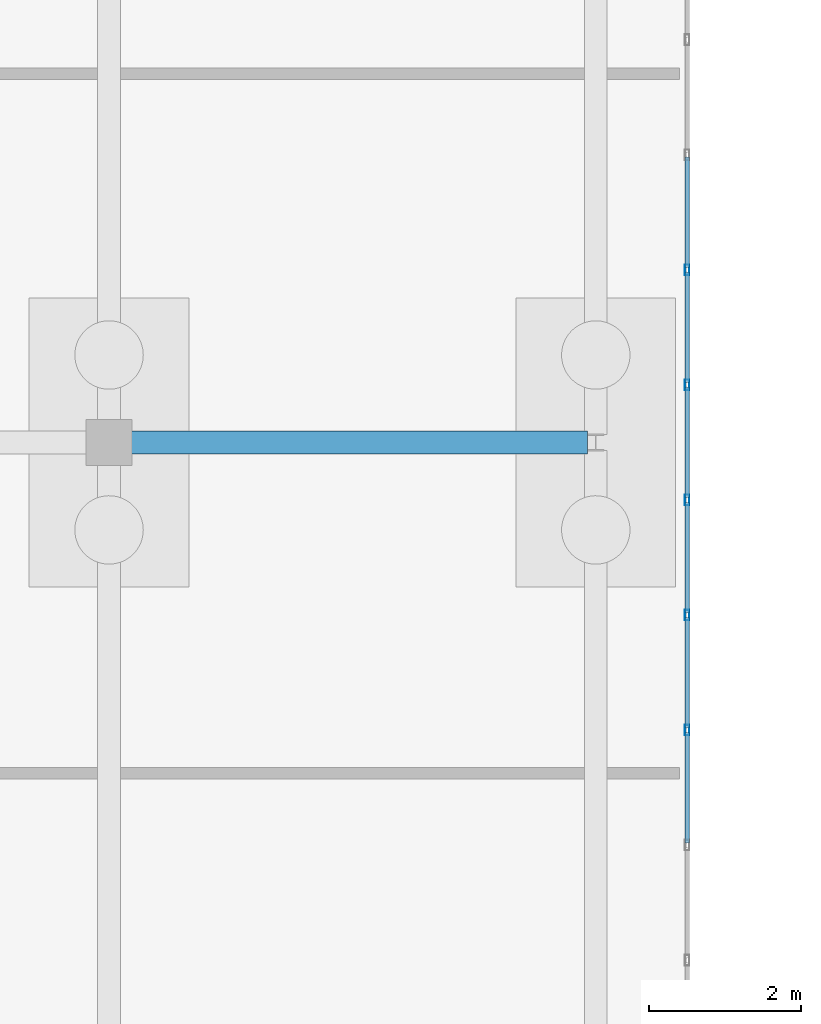
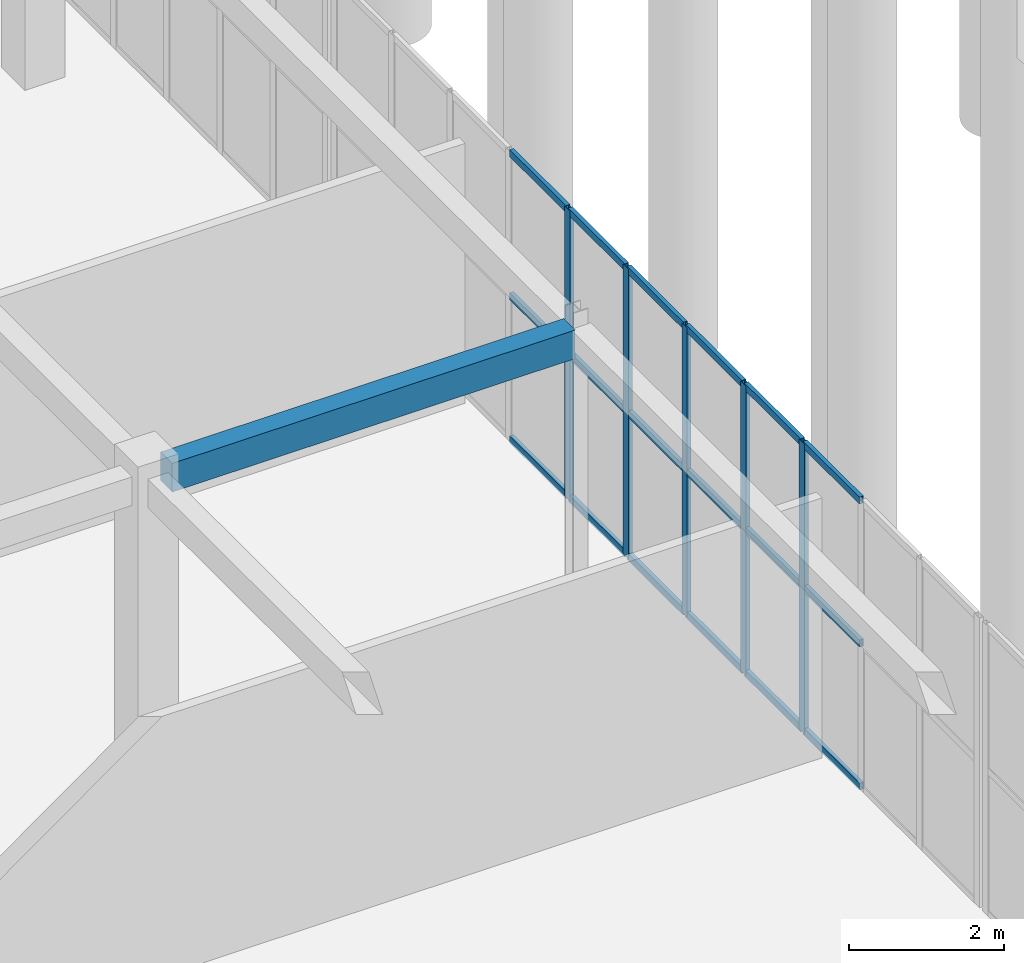
# One storey, part 80 of 192: 23 members, 1 beam, 1 element without a shape of its own.
"""IFC4 building model written with IfcOpenShell, lengths in metres."""

from ifc_helpers import new_model, si_unit, direction, frame, origin, origin_2d, place, context, subcontext, project, spatial, rectangle, hollow_rectangle, extrude, material, layer, layer_set, material_profile, profile_set, type_object, element, aggregate, save


model = new_model("IFC4")

# Units and contexts
model_context = context("Model", 3, precision=1e-05, world=origin(), true_north=direction((0.0, 1.0)))
body_context = subcontext(model_context, "Body", "Model", "MODEL_VIEW")
ifc_project = project(units=[si_unit("LENGTHUNIT", "METRE"), si_unit("AREAUNIT", "SQUARE_METRE"), si_unit("VOLUMEUNIT", "CUBIC_METRE"), si_unit("PLANEANGLEUNIT", "RADIAN"), si_unit("MASSUNIT", "GRAM", prefix="KILO")], contexts=[model_context])

# Site, building, storey
site_placement = place(None, origin())
site = spatial("IfcSite", under=ifc_project, at=site_placement, CompositionType="ELEMENT")
building_placement = place(site_placement, origin())
building = spatial("IfcBuilding", under=site, at=building_placement, Name="Trelvath General Hospital", CompositionType="ELEMENT")
storey_placement = place(building_placement, origin())
storey = spatial("IfcBuildingStorey", under=building, at=storey_placement, Name="L00", CompositionType="ELEMENT", Elevation=0.0)

# Beam
ifc_material_1 = material(Name="Concrete C35/45", Category="concrete")
ifc_material_profile_1 = material_profile(ifc_material_1, rectangle(XDim=0.300048828125, YDim=0.449951171875, at=origin_2d()), Name="RCB300x450")
ifc_profile_set_1 = profile_set([ifc_material_profile_1], Name="Concrete C35/45")
beam_type = type_object("IfcBeamType", Name="Beam RC300x450", PredefinedType="BEAM", material=ifc_profile_set_1)
beam_placement = place(storey_placement, frame((113.89599609375, 58.800048828125, 4.3349609375), z_axis=(1.0, 0.0, 0.0), x_axis=(0.0, 1.0, 0.0)))
element("IfcBeam", 1, at=beam_placement, inside=storey, type_object=beam_type, Name="Cube Interior Ring Beam CUBE-E-T0 L00", PredefinedType="BEAM", context=body_context, shape_type="SweptSolid", body=[
    extrude(rectangle(XDim=0.300048828125, YDim=0.449951171875, at=origin_2d()), origin(), (0.0, 0.0, 1.0), 5.998046875),
])

# Curtain wall, members
ifc_material_2 = material(Name="Anodised aluminium and low-E glass", Category="aluminium")
ifc_layer = layer(ifc_material_2, 0.139892578125)
ifc_layer_set = layer_set([ifc_layer], Name="Anodised aluminium and low-E glass")
curtain_wall_type = type_object("IfcCurtainWallType", Name="CW CrystalCube 1664 456 14", PredefinedType="USERDEFINED", material=ifc_layer_set)
curtain_wall_placement = place(storey_placement, origin())
curtain_wall = element("IfcCurtainWall", 2, at=curtain_wall_placement, inside=storey, type_object=curtain_wall_type, Name="Crystal Cube Curtain Wall CUBE-E-T0 E4 L00", ObjectType="Unitised Glazed Curtain Wall", PredefinedType="USERDEFINED")
ifc_material_3 = material(Name="Anodised aluminium", Category="aluminium")
ifc_material_profile_2 = material_profile(ifc_material_3, hollow_rectangle(XDim=0.06005859375, YDim=0.139892578125, WallThickness=0.00390625, at=origin_2d()), Name="RHS60x140x4")
ifc_profile_set_2 = profile_set([ifc_material_profile_2], Name="Anodised aluminium")
member_type_1 = type_object("IfcMemberType", Name="CurtainMullion 60x140", PredefinedType="MULLION", material=ifc_profile_set_2)
member_1_placement = place(storey_placement, frame((121.199951171875, 61.069091796875, 0.0), z_axis=(0.0, 0.0, 1.0), x_axis=(1.0, 0.0, 0.0)))
member_1 = element("IfcMember", 3, at=member_1_placement, type_object=member_type_1, Name="CW-121 mullion 5", PredefinedType="MULLION", context=body_context, shape_type="SweptSolid", body=[
    extrude(hollow_rectangle(XDim=0.06005859375, YDim=0.139892578125, WallThickness=0.00390625, at=origin_2d()), origin(), (0.0, 0.0, 1.0), 4.56005859375),
])
member_2_placement = place(storey_placement, frame((121.199951171875, 59.556396484375, 0.0), z_axis=(0.0, 0.0, 1.0), x_axis=(1.0, 0.0, 0.0)))
member_2 = element("IfcMember", 4, at=member_2_placement, type_object=member_type_1, Name="CW-121 mullion 6", PredefinedType="MULLION", context=body_context, shape_type="SweptSolid", body=[
    extrude(hollow_rectangle(XDim=0.06005859375, YDim=0.139892578125, WallThickness=0.00390625, at=origin_2d()), origin(), (0.0, 0.0, 1.0), 4.56005859375),
])
member_3_placement = place(storey_placement, frame((121.199951171875, 58.043701171875, 0.0), z_axis=(0.0, 0.0, 1.0), x_axis=(1.0, 0.0, 0.0)))
member_3 = element("IfcMember", 5, at=member_3_placement, type_object=member_type_1, Name="CW-121 mullion 7", PredefinedType="MULLION", context=body_context, shape_type="SweptSolid", body=[
    extrude(hollow_rectangle(XDim=0.06005859375, YDim=0.139892578125, WallThickness=0.00390625, at=origin_2d()), origin(), (0.0, 0.0, 1.0), 4.56005859375),
])
member_4_placement = place(storey_placement, frame((121.199951171875, 56.531005859375, 0.0), z_axis=(0.0, 0.0, 1.0), x_axis=(1.0, 0.0, 0.0)))
member_4 = element("IfcMember", 6, at=member_4_placement, type_object=member_type_1, Name="CW-121 mullion 8", PredefinedType="MULLION", context=body_context, shape_type="SweptSolid", body=[
    extrude(hollow_rectangle(XDim=0.06005859375, YDim=0.139892578125, WallThickness=0.00390625, at=origin_2d()), origin(), (0.0, 0.0, 1.0), 4.56005859375),
])
member_5_placement = place(storey_placement, frame((121.199951171875, 55.01806640625, 0.0), z_axis=(0.0, 0.0, 1.0), x_axis=(1.0, 0.0, 0.0)))
member_5 = element("IfcMember", 7, at=member_5_placement, type_object=member_type_1, Name="CW-121 mullion 9", PredefinedType="MULLION", context=body_context, shape_type="SweptSolid", body=[
    extrude(hollow_rectangle(XDim=0.06005859375, YDim=0.139892578125, WallThickness=0.00390625, at=origin_2d()), origin(), (0.0, 0.0, 1.0), 4.56005859375),
])
ifc_material_4 = material(Name="Anodised aluminium", Category="aluminium")
ifc_material_profile_3 = material_profile(ifc_material_4, hollow_rectangle(XDim=0.06005859375, YDim=0.110107421875, WallThickness=0.00390625, at=origin_2d()), Name="RHS60x110x4")
ifc_profile_set_3 = profile_set([ifc_material_profile_3], Name="Anodised aluminium")
member_type_2 = type_object("IfcMemberType", Name="CurtainTransom 60x110", PredefinedType="USERDEFINED", material=ifc_profile_set_3)
member_6_placement = place(storey_placement, frame((121.199951171875, 62.5517578125, 0.030029296875), z_axis=(0.0, -1.0, 0.0), x_axis=(1.0, 0.0, 0.0)))
member_6 = element("IfcMember", 8, at=member_6_placement, type_object=member_type_2, Name="CW-121 transom 4.1", ObjectType="TRANSOM", PredefinedType="USERDEFINED", context=body_context, shape_type="SweptSolid", body=[
    extrude(hollow_rectangle(XDim=0.06005859375, YDim=0.110107421875, WallThickness=0.00390625, at=origin_2d()), origin(), (0.0, 0.0, 1.0), 1.45263671875),
])
member_7_placement = place(storey_placement, frame((121.199951171875, 62.5517578125, 2.280029296875), z_axis=(0.0, -1.0, 0.0), x_axis=(1.0, 0.0, 0.0)))
member_7 = element("IfcMember", 9, at=member_7_placement, type_object=member_type_2, Name="CW-121 transom 4.2", ObjectType="TRANSOM", PredefinedType="USERDEFINED", context=body_context, shape_type="SweptSolid", body=[
    extrude(hollow_rectangle(XDim=0.06005859375, YDim=0.110107421875, WallThickness=0.00390625, at=origin_2d()), origin(), (0.0, 0.0, 1.0), 1.45263671875),
])
member_8_placement = place(storey_placement, frame((121.199951171875, 62.5517578125, 4.530029296875), z_axis=(0.0, -1.0, 0.0), x_axis=(1.0, 0.0, 0.0)))
member_8 = element("IfcMember", 10, at=member_8_placement, type_object=member_type_2, Name="CW-121 transom 4.3", ObjectType="TRANSOM", PredefinedType="USERDEFINED", context=body_context, shape_type="SweptSolid", body=[
    extrude(hollow_rectangle(XDim=0.06005859375, YDim=0.110107421875, WallThickness=0.00390625, at=origin_2d()), origin(), (0.0, 0.0, 1.0), 1.45263671875),
])
member_9_placement = place(storey_placement, frame((121.199951171875, 61.0390625, 0.030029296875), z_axis=(0.0, -1.0, 0.0), x_axis=(1.0, 0.0, 0.0)))
member_9 = element("IfcMember", 11, at=member_9_placement, type_object=member_type_2, Name="CW-121 transom 5.1", ObjectType="TRANSOM", PredefinedType="USERDEFINED", context=body_context, shape_type="SweptSolid", body=[
    extrude(hollow_rectangle(XDim=0.06005859375, YDim=0.110107421875, WallThickness=0.00390625, at=origin_2d()), origin(), (0.0, 0.0, 1.0), 1.45263671875),
])
member_10_placement = place(storey_placement, frame((121.199951171875, 61.0390625, 2.280029296875), z_axis=(0.0, -1.0, 0.0), x_axis=(1.0, 0.0, 0.0)))
member_10 = element("IfcMember", 12, at=member_10_placement, type_object=member_type_2, Name="CW-121 transom 5.2", ObjectType="TRANSOM", PredefinedType="USERDEFINED", context=body_context, shape_type="SweptSolid", body=[
    extrude(hollow_rectangle(XDim=0.06005859375, YDim=0.110107421875, WallThickness=0.00390625, at=origin_2d()), origin(), (0.0, 0.0, 1.0), 1.45263671875),
])
member_11_placement = place(storey_placement, frame((121.199951171875, 61.0390625, 4.530029296875), z_axis=(0.0, -1.0, 0.0), x_axis=(1.0, 0.0, 0.0)))
member_11 = element("IfcMember", 13, at=member_11_placement, type_object=member_type_2, Name="CW-121 transom 5.3", ObjectType="TRANSOM", PredefinedType="USERDEFINED", context=body_context, shape_type="SweptSolid", body=[
    extrude(hollow_rectangle(XDim=0.06005859375, YDim=0.110107421875, WallThickness=0.00390625, at=origin_2d()), origin(), (0.0, 0.0, 1.0), 1.45263671875),
])
member_12_placement = place(storey_placement, frame((121.199951171875, 59.5263671875, 0.030029296875), z_axis=(0.0, -1.0, 0.0), x_axis=(1.0, 0.0, 0.0)))
member_12 = element("IfcMember", 14, at=member_12_placement, type_object=member_type_2, Name="CW-121 transom 6.1", ObjectType="TRANSOM", PredefinedType="USERDEFINED", context=body_context, shape_type="SweptSolid", body=[
    extrude(hollow_rectangle(XDim=0.06005859375, YDim=0.110107421875, WallThickness=0.00390625, at=origin_2d()), origin(), (0.0, 0.0, 1.0), 1.45263671875),
])
member_13_placement = place(storey_placement, frame((121.199951171875, 59.5263671875, 2.280029296875), z_axis=(0.0, -1.0, 0.0), x_axis=(1.0, 0.0, 0.0)))
member_13 = element("IfcMember", 15, at=member_13_placement, type_object=member_type_2, Name="CW-121 transom 6.2", ObjectType="TRANSOM", PredefinedType="USERDEFINED", context=body_context, shape_type="SweptSolid", body=[
    extrude(hollow_rectangle(XDim=0.06005859375, YDim=0.110107421875, WallThickness=0.00390625, at=origin_2d()), origin(), (0.0, 0.0, 1.0), 1.45263671875),
])
member_14_placement = place(storey_placement, frame((121.199951171875, 59.5263671875, 4.530029296875), z_axis=(0.0, -1.0, 0.0), x_axis=(1.0, 0.0, 0.0)))
member_14 = element("IfcMember", 16, at=member_14_placement, type_object=member_type_2, Name="CW-121 transom 6.3", ObjectType="TRANSOM", PredefinedType="USERDEFINED", context=body_context, shape_type="SweptSolid", body=[
    extrude(hollow_rectangle(XDim=0.06005859375, YDim=0.110107421875, WallThickness=0.00390625, at=origin_2d()), origin(), (0.0, 0.0, 1.0), 1.45263671875),
])
member_15_placement = place(storey_placement, frame((121.199951171875, 58.013671875, 0.030029296875), z_axis=(0.0, -1.0, 0.0), x_axis=(1.0, 0.0, 0.0)))
member_15 = element("IfcMember", 17, at=member_15_placement, type_object=member_type_2, Name="CW-121 transom 7.1", ObjectType="TRANSOM", PredefinedType="USERDEFINED", context=body_context, shape_type="SweptSolid", body=[
    extrude(hollow_rectangle(XDim=0.06005859375, YDim=0.110107421875, WallThickness=0.00390625, at=origin_2d()), origin(), (0.0, 0.0, 1.0), 1.452880859375),
])
member_16_placement = place(storey_placement, frame((121.199951171875, 58.013671875, 2.280029296875), z_axis=(0.0, -1.0, 0.0), x_axis=(1.0, 0.0, 0.0)))
member_16 = element("IfcMember", 18, at=member_16_placement, type_object=member_type_2, Name="CW-121 transom 7.2", ObjectType="TRANSOM", PredefinedType="USERDEFINED", context=body_context, shape_type="SweptSolid", body=[
    extrude(hollow_rectangle(XDim=0.06005859375, YDim=0.110107421875, WallThickness=0.00390625, at=origin_2d()), origin(), (0.0, 0.0, 1.0), 1.452880859375),
])
member_17_placement = place(storey_placement, frame((121.199951171875, 58.013671875, 4.530029296875), z_axis=(0.0, -1.0, 0.0), x_axis=(1.0, 0.0, 0.0)))
member_17 = element("IfcMember", 19, at=member_17_placement, type_object=member_type_2, Name="CW-121 transom 7.3", ObjectType="TRANSOM", PredefinedType="USERDEFINED", context=body_context, shape_type="SweptSolid", body=[
    extrude(hollow_rectangle(XDim=0.06005859375, YDim=0.110107421875, WallThickness=0.00390625, at=origin_2d()), origin(), (0.0, 0.0, 1.0), 1.452880859375),
])
member_18_placement = place(storey_placement, frame((121.199951171875, 56.5009765625, 0.030029296875), z_axis=(0.0, -1.0, 0.0), x_axis=(1.0, 0.0, 0.0)))
member_18 = element("IfcMember", 20, at=member_18_placement, type_object=member_type_2, Name="CW-121 transom 8.1", ObjectType="TRANSOM", PredefinedType="USERDEFINED", context=body_context, shape_type="SweptSolid", body=[
    extrude(hollow_rectangle(XDim=0.06005859375, YDim=0.110107421875, WallThickness=0.00390625, at=origin_2d()), origin(), (0.0, 0.0, 1.0), 1.452880859375),
])
member_19_placement = place(storey_placement, frame((121.199951171875, 56.5009765625, 2.280029296875), z_axis=(0.0, -1.0, 0.0), x_axis=(1.0, 0.0, 0.0)))
member_19 = element("IfcMember", 21, at=member_19_placement, type_object=member_type_2, Name="CW-121 transom 8.2", ObjectType="TRANSOM", PredefinedType="USERDEFINED", context=body_context, shape_type="SweptSolid", body=[
    extrude(hollow_rectangle(XDim=0.06005859375, YDim=0.110107421875, WallThickness=0.00390625, at=origin_2d()), origin(), (0.0, 0.0, 1.0), 1.452880859375),
])
member_20_placement = place(storey_placement, frame((121.199951171875, 56.5009765625, 4.530029296875), z_axis=(0.0, -1.0, 0.0), x_axis=(1.0, 0.0, 0.0)))
member_20 = element("IfcMember", 22, at=member_20_placement, type_object=member_type_2, Name="CW-121 transom 8.3", ObjectType="TRANSOM", PredefinedType="USERDEFINED", context=body_context, shape_type="SweptSolid", body=[
    extrude(hollow_rectangle(XDim=0.06005859375, YDim=0.110107421875, WallThickness=0.00390625, at=origin_2d()), origin(), (0.0, 0.0, 1.0), 1.452880859375),
])
member_21_placement = place(storey_placement, frame((121.199951171875, 54.98828125, 0.030029296875), z_axis=(0.0, -1.0, 0.0), x_axis=(1.0, 0.0, 0.0)))
member_21 = element("IfcMember", 23, at=member_21_placement, type_object=member_type_2, Name="CW-121 transom 9.1", ObjectType="TRANSOM", PredefinedType="USERDEFINED", context=body_context, shape_type="SweptSolid", body=[
    extrude(hollow_rectangle(XDim=0.06005859375, YDim=0.110107421875, WallThickness=0.00390625, at=origin_2d()), origin(), (0.0, 0.0, 1.0), 1.452880859375),
])
member_22_placement = place(storey_placement, frame((121.199951171875, 54.98828125, 2.280029296875), z_axis=(0.0, -1.0, 0.0), x_axis=(1.0, 0.0, 0.0)))
member_22 = element("IfcMember", 24, at=member_22_placement, type_object=member_type_2, Name="CW-121 transom 9.2", ObjectType="TRANSOM", PredefinedType="USERDEFINED", context=body_context, shape_type="SweptSolid", body=[
    extrude(hollow_rectangle(XDim=0.06005859375, YDim=0.110107421875, WallThickness=0.00390625, at=origin_2d()), origin(), (0.0, 0.0, 1.0), 1.452880859375),
])
member_23_placement = place(storey_placement, frame((121.199951171875, 54.98828125, 4.530029296875), z_axis=(0.0, -1.0, 0.0), x_axis=(1.0, 0.0, 0.0)))
member_23 = element("IfcMember", 25, at=member_23_placement, type_object=member_type_2, Name="CW-121 transom 9.3", ObjectType="TRANSOM", PredefinedType="USERDEFINED", context=body_context, shape_type="SweptSolid", body=[
    extrude(hollow_rectangle(XDim=0.06005859375, YDim=0.110107421875, WallThickness=0.00390625, at=origin_2d()), origin(), (0.0, 0.0, 1.0), 1.452880859375),
])
aggregate(curtain_wall, [member_1, member_2, member_3, member_4, member_5, member_6, member_7, member_8, member_9, member_10, member_11, member_12, member_13, member_14, member_15, member_16, member_17, member_18, member_19, member_20, member_21, member_22, member_23])

save(model, "model.ifc")
